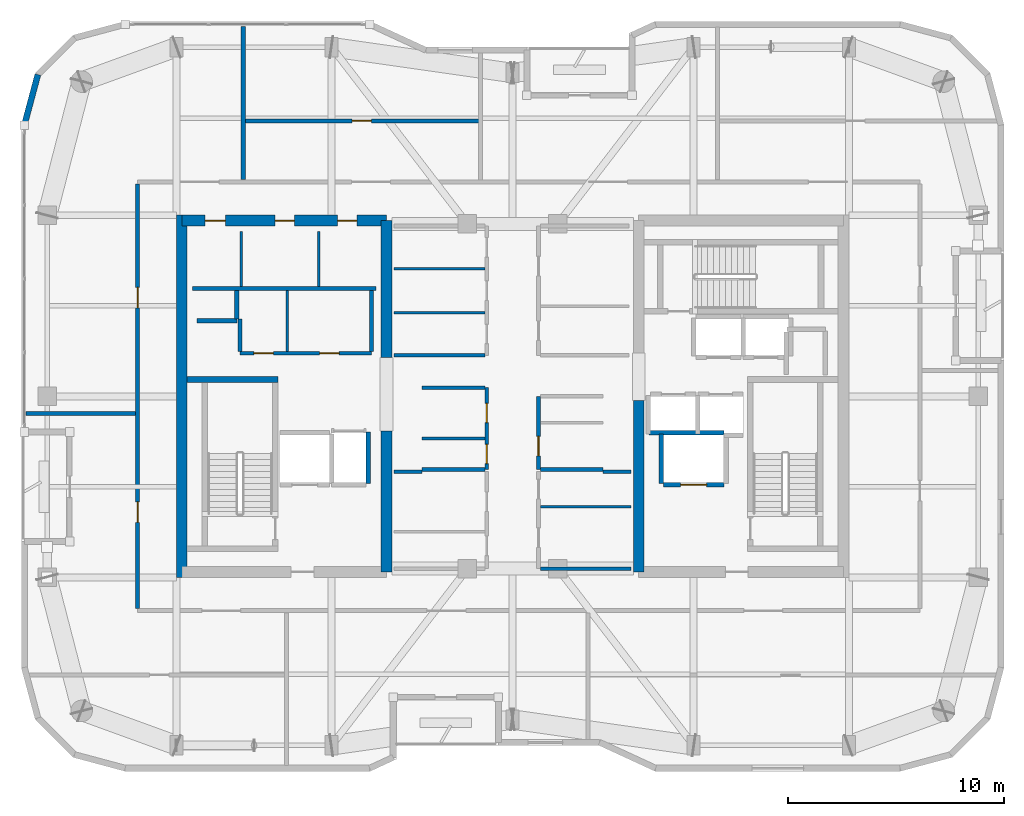
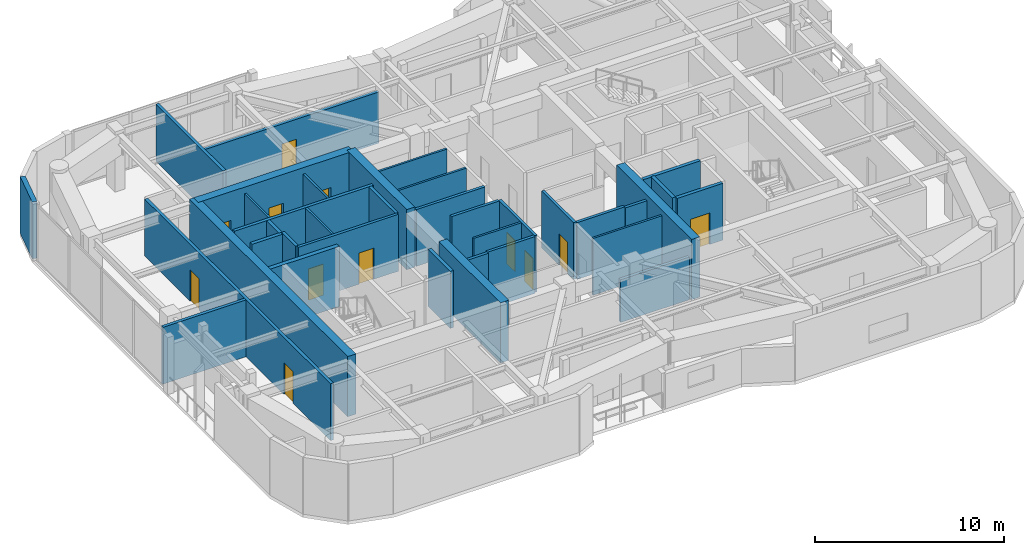
# One storey, part 11 of 16: 37 walls, 12 doors, 12 openings.
"""IFC4 building model written with IfcOpenShell, lengths in metres."""

from ifc_helpers import new_model, si_unit, direction, frame, frame_2d, origin, place, context, subcontext, project, spatial, rectangle, extrude, material, layer, layer_set, type_object, element, fill, save


model = new_model("IFC4")

# Units and contexts
model_context = context("Model", 3, precision=1e-05, world=origin(), true_north=direction((0.0, 1.0)))
body_context = subcontext(model_context, "Body", "Model", "MODEL_VIEW")
ifc_project = project(units=[si_unit("LENGTHUNIT", "METRE"), si_unit("AREAUNIT", "SQUARE_METRE"), si_unit("VOLUMEUNIT", "CUBIC_METRE"), si_unit("PLANEANGLEUNIT", "RADIAN"), si_unit("MASSUNIT", "GRAM", prefix="KILO")], contexts=[model_context])

# Site, building, storey
site_placement = place(None, origin())
site = spatial("IfcSite", under=ifc_project, at=site_placement, CompositionType="ELEMENT")
building_placement = place(site_placement, origin())
building = spatial("IfcBuilding", under=site, at=building_placement, Name="Kiyonajd Concourse Tower", CompositionType="ELEMENT")
storey_placement = place(building_placement, frame((0.0, 0.0, 333.60009765625)))
storey = spatial("IfcBuildingStorey", under=building, at=storey_placement, Name="L84", CompositionType="ELEMENT", Elevation=333.60009765625)

# Walls
ifc_material_1 = material(Name="Concrete C60/75", Category="concrete")
ifc_layer_1 = layer(ifc_material_1, 0.5)
ifc_layer_set_1 = layer_set([ifc_layer_1], Name="Concrete C60/75")
wall_type_1 = type_object("IfcWallType", Name="WL-CORE-500", PredefinedType="SHEAR", material=ifc_layer_set_1)
wall_1_placement = place(storey_placement, frame((32.64990234375, 27.60009765625, 0.0), z_axis=(0.0, 0.0, 1.0), x_axis=(0.0, 1.0, 0.0)))
element("IfcWall", 1, at=wall_1_placement, inside=storey, type_object=wall_type_1, Name="L84 West Core Outer Shear Wall", PredefinedType="SHEAR", context=body_context, shape_type="SweptSolid", body=[
    extrude(rectangle(XDim=16.7998046875, YDim=0.5, at=frame_2d((8.39990234375, 0.0))), origin(), (0.0, 0.0, 1.0), 3.89990234375),
])
wall_2_placement = place(storey_placement, frame((42.14990234375, 27.85009765625, 0.0), z_axis=(0.0, 0.0, 1.0), x_axis=(0.0, 1.0, 0.0)))
element("IfcWall", 2, at=wall_2_placement, inside=storey, type_object=wall_type_1, Name="L84 West Core Inner South Shear Wall", PredefinedType="SHEAR", context=body_context, shape_type="SweptSolid", body=[
    extrude(rectangle(XDim=6.5498046875, YDim=0.5, at=frame_2d((3.27490234375, 0.0))), origin(), (0.0, 0.0, 1.0), 3.89990234375),
])
wall_3_placement = place(storey_placement, frame((42.14990234375, 37.800048828125, 0.0), z_axis=(0.0, 0.0, 1.0), x_axis=(0.0, 1.0, 0.0)))
element("IfcWall", 3, at=wall_3_placement, inside=storey, type_object=wall_type_1, Name="L84 West Core Inner North Shear Wall", PredefinedType="SHEAR", context=body_context, shape_type="SweptSolid", body=[
    extrude(rectangle(XDim=6.349853515625, YDim=0.5, at=frame_2d((3.1748046875, 0.0))), origin(), (0.0, 0.0, 1.0), 3.89990234375),
])

# Wall, openings, doors
wall_4_placement = place(storey_placement, frame((32.64990234375, 44.14990234375, 0.0), z_axis=(0.0, 0.0, 1.0), x_axis=(1.0, 0.0, 0.0)))
wall_4 = element("IfcWall", 4, at=wall_4_placement, inside=storey, type_object=wall_type_1, Name="L84 West Core North Shear Wall", PredefinedType="SHEAR", context=body_context, shape_type="SweptSolid", body=[
    extrude(rectangle(XDim=9.5, YDim=0.5, at=frame_2d((4.75, 0.0))), origin(), (0.0, 0.0, 1.0), 3.89990234375),
])
opening_1_placement = place(wall_4_placement, frame((1.074951171875, 0.0, 0.0)))
opening_1 = element("IfcOpeningElement", 5, at=opening_1_placement, cuts=wall_4, Name="Opening DI1", PredefinedType="OPENING", context=body_context, shape_type="SweptSolid", body=[
    extrude(rectangle(XDim=0.949951171875, YDim=2.0400390625, at=frame_2d((0.47509765625, 1.02001953125))), frame((0.0, 0.260009765625, 0.0), z_axis=(0.0, -1.0, 0.0), x_axis=(1.0, 0.0, 0.0)), (0.0, 0.0, 1.0), 0.52001953125),
])
opening_2_placement = place(wall_4_placement, frame((4.324951171875, 0.0, 0.0)))
opening_2 = element("IfcOpeningElement", 6, at=opening_2_placement, cuts=wall_4, Name="Opening DI2", PredefinedType="OPENING", context=body_context, shape_type="SweptSolid", body=[
    extrude(rectangle(XDim=0.89990234375, YDim=2.02001953125, at=frame_2d((0.449951171875, 1.010009765625))), frame((0.0, 0.260009765625, 0.0), z_axis=(0.0, -1.0, 0.0), x_axis=(1.0, 0.0, 0.0)), (0.0, 0.0, 1.0), 0.52001953125),
])
opening_3_placement = place(wall_4_placement, frame((7.22509765625, 0.0, 0.0)))
opening_3 = element("IfcOpeningElement", 7, at=opening_3_placement, cuts=wall_4, Name="Opening DI2", PredefinedType="OPENING", context=body_context, shape_type="SweptSolid", body=[
    extrude(rectangle(XDim=0.89990234375, YDim=2.02001953125, at=frame_2d((0.449951171875, 1.010009765625))), frame((0.0, 0.260009765625, 0.0), z_axis=(0.0, -1.0, 0.0), x_axis=(1.0, 0.0, 0.0)), (0.0, 0.0, 1.0), 0.52001953125),
])
ifc_material_2 = material(Name="Natural Oak Acoustic Timber Veneer", Category="wood")
door_type_1 = type_object("IfcDoorType", Name="DR-INT-900", OperationType="NOTDEFINED", PredefinedType="DOOR", material=ifc_material_2)
door_1_placement = place(opening_2_placement, origin())
door_1 = element("IfcDoor", 8, at=door_1_placement, inside=storey, type_object=door_type_1, Name="L84 Male Restroom Door", OperationType="SINGLE_SWING_RIGHT", OverallHeight=2.02001953125, OverallWidth=0.89990234375, PredefinedType="DOOR", context=body_context, shape_type="SweptSolid", body=[
    extrude(rectangle(XDim=0.89990234375, YDim=2.02001953125, at=frame_2d((0.449951171875, 1.010009765625))), frame((0.0, 0.02490234375, 0.0), z_axis=(0.0, -1.0, 0.0), x_axis=(1.0, 0.0, 0.0)), (0.0, 0.0, 1.0), 0.050048828125),
])
fill(opening_2, door_1)
door_2_placement = place(opening_3_placement, origin())
door_2 = element("IfcDoor", 9, at=door_2_placement, inside=storey, type_object=door_type_1, Name="L84 Female Restroom Door", OperationType="SINGLE_SWING_LEFT", OverallHeight=2.02001953125, OverallWidth=0.89990234375, PredefinedType="DOOR", context=body_context, shape_type="SweptSolid", body=[
    extrude(rectangle(XDim=0.89990234375, YDim=2.02001953125, at=frame_2d((0.449951171875, 1.010009765625))), frame((0.0, 0.02490234375, 0.0), z_axis=(0.0, -1.0, 0.0), x_axis=(1.0, 0.0, 0.0)), (0.0, 0.0, 1.0), 0.050048828125),
])
fill(opening_3, door_2)
door_type_2 = type_object("IfcDoorType", Name="DR-INT-950", OperationType="NOTDEFINED", PredefinedType="DOOR", material=ifc_material_2)
door_3_placement = place(opening_1_placement, origin())
door_3 = element("IfcDoor", 10, at=door_3_placement, inside=storey, type_object=door_type_2, Name="L84 Single User Accessible WC Door", OperationType="SINGLE_SWING_LEFT", OverallHeight=2.0400390625, OverallWidth=0.949951171875, PredefinedType="DOOR", context=body_context, shape_type="SweptSolid", body=[
    extrude(rectangle(XDim=0.949951171875, YDim=2.0400390625, at=frame_2d((0.47509765625, 1.02001953125))), frame((0.0, 0.02490234375, 0.0), z_axis=(0.0, -1.0, 0.0), x_axis=(1.0, 0.0, 0.0)), (0.0, 0.0, 1.0), 0.050048828125),
])
fill(opening_1, door_3)

# Walls
wall_5_placement = place(storey_placement, frame((53.85009765625, 27.85009765625, 0.0), z_axis=(0.0, 0.0, 1.0), x_axis=(0.0, 1.0, 0.0)))
element("IfcWall", 11, at=wall_5_placement, inside=storey, type_object=wall_type_1, Name="L84 East Core Inner South Shear Wall", PredefinedType="SHEAR", context=body_context, shape_type="SweptSolid", body=[
    extrude(rectangle(XDim=7.949951171875, YDim=0.5, at=frame_2d((3.97509765625, 0.0))), origin(), (0.0, 0.0, 1.0), 3.89990234375),
])
ifc_material_3 = material(Name="Precast concrete C50/60", Category="concrete")
ifc_layer_2 = layer(ifc_material_3, 0.280029296875)
ifc_layer_set_2 = layer_set([ifc_layer_2], Name="Precast concrete C50/60")
wall_type_2 = type_object("IfcWallType", Name="WL-EXT-280", PredefinedType="SOLIDWALL", material=ifc_layer_set_2)
wall_6_placement = place(storey_placement, frame((25.340087890625, 48.58154296875, 0.0), z_axis=(0.0, 0.0, 1.0), x_axis=(0.258751159445, 0.965944013639, 0.0)))
element("IfcWall", 12, at=wall_6_placement, inside=storey, type_object=wall_type_2, Name="L84 Exterior Concrete Frame Wall 06", PredefinedType="SOLIDWALL", context=body_context, shape_type="SweptSolid", body=[
    extrude(rectangle(XDim=2.4287109375, YDim=0.280029296875, at=frame_2d((1.21435546875, 0.0))), origin(), (0.0, 0.0, 1.0), 3.679931640625),
])
ifc_material_4 = material(Name="Gypsum Board on Cold-Formed Steel Stud", Category="steel")
ifc_layer_3 = layer(ifc_material_4, 0.125)
ifc_layer_set_3 = layer_set([ifc_layer_3], Name="Gypsum Board on Cold-Formed Steel Stud")
wall_type_3 = type_object("IfcWallType", Name="WL-PART-125", PredefinedType="PARTITIONING", material=ifc_layer_set_3)
for number, where, z_axis, x_axis, name in (
    (13, (35.39990234375, 41.094970703125, 0.0), (0.0, 0.0, 1.0), (0.0, 1.0, 0.0), "L84 Interior Partition Wall"),
    (14, (39.0, 41.094970703125, 0.0), (0.0, 0.0, 1.0), (0.0, 1.0, 0.0), "L84 Interior Partition Wall"),
):
    element("IfcWall", number, at=place(storey_placement, frame(where, z_axis=z_axis, x_axis=x_axis)), inside=storey, type_object=wall_type_3, Name=name, PredefinedType="PARTITIONING", context=body_context, shape_type="SweptSolid", body=[
        extrude(rectangle(XDim=2.554931640625, YDim=0.125, at=frame_2d((1.27734375, 0.0))), origin(), (0.0, 0.0, 1.0), 3.679931640625),
    ])
wall_7_placement = place(storey_placement, frame((37.5458984375, 38.0869140625, 0.0), z_axis=(0.0, 0.0, 1.0), x_axis=(0.0, 1.0, 0.0)))
element("IfcWall", 15, at=wall_7_placement, inside=storey, type_object=wall_type_3, Name="L84 Interior Partition Wall", PredefinedType="PARTITIONING", context=body_context, shape_type="SweptSolid", body=[
    extrude(rectangle(XDim=2.81298828125, YDim=0.125, at=frame_2d((1.406494140625, 0.0))), origin(), (0.0, 0.0, 1.0), 3.679931640625),
])
wall_8_placement = place(storey_placement, frame((43.800048828125, 34.0439453125, 0.0), z_axis=(0.0, 0.0, 1.0), x_axis=(1.0, 0.0, 0.0)))
element("IfcWall", 16, at=wall_8_placement, inside=storey, type_object=wall_type_3, Name="L84 Interior Partition Wall", PredefinedType="PARTITIONING", context=body_context, shape_type="SweptSolid", body=[
    extrude(rectangle(XDim=2.912841796875, YDim=0.125, at=frame_2d((1.45654296875, 0.0))), origin(), (0.0, 0.0, 1.0), 3.679931640625),
])
for number, where, z_axis, x_axis, name in (
    (17, (49.287109375, 30.8798828125, 0.0), (0.0, 0.0, 1.0), (1.0, 0.0, 0.0), "L84 Interior Partition Wall"),
    (18, (42.5, 39.8798828125, 0.0), (0.0, 0.0, 1.0), (1.0, 0.0, 0.0), "L84 Interior Partition Wall"),
    (19, (42.5, 41.919921875, 0.0), (0.0, 0.0, 1.0), (1.0, 0.0, 0.0), "L84 Interior Partition Wall"),
):
    element("IfcWall", number, at=place(storey_placement, frame(where, z_axis=z_axis, x_axis=x_axis)), inside=storey, type_object=wall_type_3, Name=name, PredefinedType="PARTITIONING", context=body_context, shape_type="SweptSolid", body=[
        extrude(rectangle(XDim=4.212890625, YDim=0.125, at=frame_2d((2.1064453125, 0.0))), origin(), (0.0, 0.0, 1.0), 3.679931640625),
    ])
ifc_layer_4 = layer(ifc_material_4, 0.18994140625)
ifc_layer_set_4 = layer_set([ifc_layer_4], Name="Gypsum Board on Cold-Formed Steel Stud")
wall_type_4 = type_object("IfcWallType", Name="WL-PLMB-190", PredefinedType="PLUMBINGWALL", material=ifc_layer_set_4)
wall_9_placement = place(storey_placement, frame((33.14990234375, 41.0, 0.0), z_axis=(0.0, 0.0, 1.0), x_axis=(1.0, 0.0, 0.0)))
element("IfcWall", 20, at=wall_9_placement, inside=storey, type_object=wall_type_4, Name="L84 Interior Partition Wall", PredefinedType="PLUMBINGWALL", context=body_context, shape_type="SweptSolid", body=[
    extrude(rectangle(XDim=8.5, YDim=0.18994140625, at=frame_2d((4.25, 0.0))), origin(), (0.0, 0.0, 1.0), 3.679931640625),
])

# Wall, openings, doors
wall_10_placement = place(storey_placement, frame((30.60009765625, 26.14697265625, 0.0), z_axis=(0.0, 0.0, 1.0), x_axis=(0.0, 1.0, 0.0)))
wall_10 = element("IfcWall", 21, at=wall_10_placement, inside=storey, type_object=wall_type_4, Name="L84 Interior Partition Wall", PredefinedType="PLUMBINGWALL", context=body_context, shape_type="SweptSolid", body=[
    extrude(rectangle(XDim=19.7060546875, YDim=0.18994140625, at=frame_2d((9.85302734375, 0.0))), origin(), (0.0, 0.0, 1.0), 3.679931640625),
])
opening_4_placement = place(wall_10_placement, frame((4.0029296875, 0.0, 0.0)))
opening_4 = element("IfcOpeningElement", 22, at=opening_4_placement, cuts=wall_10, Name="Opening DI1", PredefinedType="OPENING", context=body_context, shape_type="SweptSolid", body=[
    extrude(rectangle(XDim=0.949951171875, YDim=2.0400390625, at=frame_2d((0.47509765625, 1.02001953125))), frame((0.0, 0.10498046875, 0.0), z_axis=(0.0, -1.0, 0.0), x_axis=(1.0, 0.0, 0.0)), (0.0, 0.0, 1.0), 0.2099609375),
])
opening_5_placement = place(wall_10_placement, frame((13.952880859375, 0.0, 0.0)))
opening_5 = element("IfcOpeningElement", 23, at=opening_5_placement, cuts=wall_10, Name="Opening DI1", PredefinedType="OPENING", context=body_context, shape_type="SweptSolid", body=[
    extrude(rectangle(XDim=0.949951171875, YDim=2.0400390625, at=frame_2d((0.47509765625, 1.02001953125))), frame((0.0, 0.10498046875, 0.0), z_axis=(0.0, -1.0, 0.0), x_axis=(1.0, 0.0, 0.0)), (0.0, 0.0, 1.0), 0.2099609375),
])
door_4_placement = place(opening_4_placement, origin())
door_4 = element("IfcDoor", 24, at=door_4_placement, inside=storey, type_object=door_type_2, Name="L84 Interior Door", OperationType="SINGLE_SWING_LEFT", OverallHeight=2.0400390625, OverallWidth=0.949951171875, PredefinedType="DOOR", context=body_context, shape_type="SweptSolid", body=[
    extrude(rectangle(XDim=0.949951171875, YDim=2.0400390625, at=frame_2d((0.47509765625, 1.02001953125))), frame((0.0, 0.02490234375, 0.0), z_axis=(0.0, -1.0, 0.0), x_axis=(1.0, 0.0, 0.0)), (0.0, 0.0, 1.0), 0.050048828125),
])
fill(opening_4, door_4)
door_5_placement = place(opening_5_placement, origin())
door_5 = element("IfcDoor", 25, at=door_5_placement, inside=storey, type_object=door_type_2, Name="L84 Interior Door", OperationType="SINGLE_SWING_RIGHT", OverallHeight=2.0400390625, OverallWidth=0.949951171875, PredefinedType="DOOR", context=body_context, shape_type="SweptSolid", body=[
    extrude(rectangle(XDim=0.949951171875, YDim=2.0400390625, at=frame_2d((0.47509765625, 1.02001953125))), frame((0.0, 0.02490234375, 0.0), z_axis=(0.0, -1.0, 0.0), x_axis=(1.0, 0.0, 0.0)), (0.0, 0.0, 1.0), 0.050048828125),
])
fill(opening_5, door_5)

# Wall, opening, door
wall_11_placement = place(storey_placement, frame((35.5, 48.780029296875, 0.0), z_axis=(0.0, 0.0, 1.0), x_axis=(1.0, 0.0, 0.0)))
wall_11 = element("IfcWall", 26, at=wall_11_placement, inside=storey, type_object=wall_type_4, Name="L84 Interior Partition Wall", PredefinedType="PLUMBINGWALL", context=body_context, shape_type="SweptSolid", body=[
    extrude(rectangle(XDim=11.0, YDim=0.18994140625, at=frame_2d((5.5, 0.0))), origin(), (0.0, 0.0, 1.0), 3.310791015625),
])
opening_6_placement = place(wall_11_placement, frame((5.050048828125, 0.0, 0.0)))
opening_6 = element("IfcOpeningElement", 27, at=opening_6_placement, cuts=wall_11, Name="Opening DI2", PredefinedType="OPENING", context=body_context, shape_type="SweptSolid", body=[
    extrude(rectangle(XDim=0.89990234375, YDim=2.02001953125, at=frame_2d((0.449951171875, 1.010009765625))), frame((0.0, 0.10498046875, 0.0), z_axis=(0.0, -1.0, 0.0), x_axis=(1.0, 0.0, 0.0)), (0.0, 0.0, 1.0), 0.2099609375),
])
door_6_placement = place(opening_6_placement, origin())
door_6 = element("IfcDoor", 28, at=door_6_placement, inside=storey, type_object=door_type_1, Name="L84 Interior Door", OperationType="SINGLE_SWING_LEFT", OverallHeight=2.02001953125, OverallWidth=0.89990234375, PredefinedType="DOOR", context=body_context, shape_type="SweptSolid", body=[
    extrude(rectangle(XDim=0.89990234375, YDim=2.02001953125, at=frame_2d((0.449951171875, 1.010009765625))), frame((0.0, 0.02490234375, 0.0), z_axis=(0.0, -1.0, 0.0), x_axis=(1.0, 0.0, 0.0)), (0.0, 0.0, 1.0), 0.050048828125),
])
fill(opening_6, door_6)

# Walls
wall_12_placement = place(storey_placement, frame((35.5, 46.047119140625, 0.0), z_axis=(0.0, 0.0, 1.0), x_axis=(0.0, 1.0, 0.0)))
element("IfcWall", 29, at=wall_12_placement, inside=storey, type_object=wall_type_4, Name="L84 Interior Partition Wall", PredefinedType="PLUMBINGWALL", context=body_context, shape_type="SweptSolid", body=[
    extrude(rectangle(XDim=7.117919921875, YDim=0.18994140625, at=frame_2d((3.55908203125, 0.0))), origin(), (0.0, 0.0, 1.0), 3.679931640625),
])
wall_13_placement = place(storey_placement, frame((25.425048828125, 35.199951171875, 0.0), z_axis=(0.0, 0.0, 1.0), x_axis=(1.0, 0.0, 0.0)))
element("IfcWall", 30, at=wall_13_placement, inside=storey, type_object=wall_type_4, Name="L84 Interior Partition Wall", PredefinedType="PLUMBINGWALL", context=body_context, shape_type="SweptSolid", body=[
    extrude(rectangle(XDim=5.077880859375, YDim=0.18994140625, at=frame_2d((2.5390625, 0.0))), origin(), (0.0, 0.0, 1.0), 3.679931640625),
])
ifc_layer_5 = layer(ifc_material_4, 0.2099609375)
ifc_layer_set_5 = layer_set([ifc_layer_5], Name="Gypsum Board on Cold-Formed Steel Stud")
wall_type_5 = type_object("IfcWallType", Name="WL-SHAFT-210", PredefinedType="PARTITIONING", material=ifc_layer_set_5)
wall_14_placement = place(storey_placement, frame((33.360107421875, 39.5, 0.0), z_axis=(0.0, 0.0, 1.0), x_axis=(1.0, 0.0, 0.0)))
element("IfcWall", 31, at=wall_14_placement, inside=storey, type_object=wall_type_5, Name="L84 Shaft Enclosure Wall", PredefinedType="PARTITIONING", context=body_context, shape_type="SweptSolid", body=[
    extrude(rectangle(XDim=1.85986328125, YDim=0.2099609375, at=frame_2d((0.929931640625, 0.0))), origin(), (0.0, 0.0, 1.0), 3.679931640625),
])
wall_15_placement = place(storey_placement, frame((35.199951171875, 39.580078125, 0.0), z_axis=(0.0, 0.0, 1.0), x_axis=(0.0, 1.0, 0.0)))
element("IfcWall", 32, at=wall_15_placement, inside=storey, type_object=wall_type_5, Name="L84 Shaft Enclosure Wall", PredefinedType="PARTITIONING", context=body_context, shape_type="SweptSolid", body=[
    extrude(rectangle(XDim=1.31982421875, YDim=0.2099609375, at=frame_2d((0.659912109375, 0.0))), origin(), (0.0, 0.0, 1.0), 3.679931640625),
])

# Wall, opening, door
wall_16_placement = place(storey_placement, frame((55.0, 31.89990234375, 0.0), z_axis=(0.0, 0.0, 1.0), x_axis=(1.0, 0.0, 0.0)))
wall_16 = element("IfcWall", 33, at=wall_16_placement, inside=storey, type_object=wall_type_5, Name="L84 Shaft Enclosure Wall", PredefinedType="PARTITIONING", context=body_context, shape_type="SweptSolid", body=[
    extrude(rectangle(XDim=2.800048828125, YDim=0.2099609375, at=frame_2d((1.39990234375, 0.0))), origin(), (0.0, 0.0, 1.0), 3.679931640625),
])
opening_7_placement = place(wall_16_placement, frame((0.800048828125, 0.0, 0.0)))
opening_7 = element("IfcOpeningElement", 34, at=opening_7_placement, cuts=wall_16, Name="Opening LD2", PredefinedType="OPENING", context=body_context, shape_type="SweptSolid", body=[
    extrude(rectangle(XDim=1.199951171875, YDim=2.0400390625, at=frame_2d((0.60009765625, 1.02001953125))), frame((0.0, 0.114990234375, 0.0), z_axis=(0.0, -1.0, 0.0), x_axis=(1.0, 0.0, 0.0)), (0.0, 0.0, 1.0), 0.22998046875),
])
ifc_material_5 = material(Name="Brushed Stainless Steel Cab Assembly", Category="steel")
door_type_3 = type_object("IfcDoorType", Name="DR-LD-1200", OperationType="DOUBLE_DOOR_SLIDING", PredefinedType="DOOR", material=ifc_material_5)
door_7_placement = place(opening_7_placement, origin())
door_7 = element("IfcDoor", 35, at=door_7_placement, inside=storey, type_object=door_type_3, Name="L84 Lift FFL2 Sliding Landing Door", OperationType="DOUBLE_DOOR_SLIDING", OverallHeight=2.0400390625, OverallWidth=1.199951171875, PredefinedType="DOOR", context=body_context, shape_type="SweptSolid", body=[
    extrude(rectangle(XDim=1.199951171875, YDim=2.0400390625, at=frame_2d((0.60009765625, 1.02001953125))), frame((0.0, 0.02490234375, 0.0), z_axis=(0.0, -1.0, 0.0), x_axis=(1.0, 0.0, 0.0)), (0.0, 0.0, 1.0), 0.050048828125),
])
fill(opening_7, door_7)

# Walls
wall_17_placement = place(storey_placement, frame((54.320068359375, 34.300048828125, 0.0), z_axis=(0.0, 0.0, 1.0), x_axis=(1.0, 0.0, 0.0)))
element("IfcWall", 36, at=wall_17_placement, inside=storey, type_object=wall_type_5, Name="L84 Shaft Enclosure Wall", PredefinedType="PARTITIONING", context=body_context, shape_type="SweptSolid", body=[
    extrude(rectangle(XDim=3.47998046875, YDim=0.2099609375, at=frame_2d((1.739990234375, 0.0))), origin(), (0.0, 0.0, 1.0), 3.679931640625),
])
wall_18_placement = place(storey_placement, frame((54.89990234375, 31.9599609375, 0.0), z_axis=(0.0, 0.0, 1.0), x_axis=(0.0, 1.0, 0.0)))
element("IfcWall", 37, at=wall_18_placement, inside=storey, type_object=wall_type_5, Name="L84 Shaft Enclosure Wall", PredefinedType="PARTITIONING", context=body_context, shape_type="SweptSolid", body=[
    extrude(rectangle(XDim=2.280029296875, YDim=0.2099609375, at=frame_2d((1.14013671875, 0.0))), origin(), (0.0, 0.0, 1.0), 3.679931640625),
])
wall_19_placement = place(storey_placement, frame((41.300048828125, 31.9599609375, 0.0), z_axis=(0.0, 0.0, 1.0), x_axis=(0.0, 1.0, 0.0)))
element("IfcWall", 38, at=wall_19_placement, inside=storey, type_object=wall_type_5, Name="L84 Shaft Enclosure Wall", PredefinedType="PARTITIONING", context=body_context, shape_type="SweptSolid", body=[
    extrude(rectangle(XDim=2.380126953125, YDim=0.2099609375, at=frame_2d((1.18994140625, 0.0))), origin(), (0.0, 0.0, 1.0), 3.679931640625),
])

# Wall, openings, doors
ifc_layer_6 = layer(ifc_material_4, 0.169921875)
ifc_layer_set_6 = layer_set([ifc_layer_6], Name="Gypsum Board on Cold-Formed Steel Stud")
wall_type_6 = type_object("IfcWallType", Name="WL-SMK-170", PredefinedType="PARTITIONING", material=ifc_layer_set_6)
wall_20_placement = place(storey_placement, frame((35.35009765625, 38.0, 0.0), z_axis=(0.0, 0.0, 1.0), x_axis=(1.0, 0.0, 0.0)))
wall_20 = element("IfcWall", 39, at=wall_20_placement, inside=storey, type_object=wall_type_6, Name="L84 Interior Partition Wall", PredefinedType="PARTITIONING", context=body_context, shape_type="SweptSolid", body=[
    extrude(rectangle(XDim=6.099853515625, YDim=0.169921875, at=frame_2d((3.0498046875, 0.0))), origin(), (0.0, 0.0, 1.0), 3.679931640625),
])
opening_8_placement = place(wall_20_placement, frame((0.64794921875, 0.0, 0.0)))
opening_8 = element("IfcOpeningElement", 40, at=opening_8_placement, cuts=wall_20, Name="Opening DI2", PredefinedType="OPENING", context=body_context, shape_type="SweptSolid", body=[
    extrude(rectangle(XDim=0.89990234375, YDim=2.02001953125, at=frame_2d((0.449951171875, 1.010009765625))), frame((0.0, 0.094970703125, 0.0), z_axis=(0.0, -1.0, 0.0), x_axis=(1.0, 0.0, 0.0)), (0.0, 0.0, 1.0), 0.18994140625),
])
opening_9_placement = place(wall_20_placement, frame((3.697998046875, 0.0, 0.0)))
opening_9 = element("IfcOpeningElement", 41, at=opening_9_placement, cuts=wall_20, Name="Opening DI2", PredefinedType="OPENING", context=body_context, shape_type="SweptSolid", body=[
    extrude(rectangle(XDim=0.89990234375, YDim=2.02001953125, at=frame_2d((0.449951171875, 1.010009765625))), frame((0.0, 0.094970703125, 0.0), z_axis=(0.0, -1.0, 0.0), x_axis=(1.0, 0.0, 0.0)), (0.0, 0.0, 1.0), 0.18994140625),
])
door_8_placement = place(opening_8_placement, origin())
door_8 = element("IfcDoor", 42, at=door_8_placement, inside=storey, type_object=door_type_1, Name="L84 Interior Door", OperationType="SINGLE_SWING_LEFT", OverallHeight=2.02001953125, OverallWidth=0.89990234375, PredefinedType="DOOR", context=body_context, shape_type="SweptSolid", body=[
    extrude(rectangle(XDim=0.89990234375, YDim=2.02001953125, at=frame_2d((0.449951171875, 1.010009765625))), frame((0.0, 0.02490234375, 0.0), z_axis=(0.0, -1.0, 0.0), x_axis=(1.0, 0.0, 0.0)), (0.0, 0.0, 1.0), 0.050048828125),
])
fill(opening_8, door_8)
door_9_placement = place(opening_9_placement, origin())
door_9 = element("IfcDoor", 43, at=door_9_placement, inside=storey, type_object=door_type_1, Name="L84 Interior Door", OperationType="SINGLE_SWING_RIGHT", OverallHeight=2.02001953125, OverallWidth=0.89990234375, PredefinedType="DOOR", context=body_context, shape_type="SweptSolid", body=[
    extrude(rectangle(XDim=0.89990234375, YDim=2.02001953125, at=frame_2d((0.449951171875, 1.010009765625))), frame((0.0, 0.02490234375, 0.0), z_axis=(0.0, -1.0, 0.0), x_axis=(1.0, 0.0, 0.0)), (0.0, 0.0, 1.0), 0.050048828125),
])
fill(opening_9, door_9)

# Walls
wall_21_placement = place(storey_placement, frame((35.35009765625, 38.0869140625, 0.0), z_axis=(0.0, 0.0, 1.0), x_axis=(0.0, 1.0, 0.0)))
element("IfcWall", 44, at=wall_21_placement, inside=storey, type_object=wall_type_6, Name="L84 Interior Partition Wall", PredefinedType="PARTITIONING", context=body_context, shape_type="SweptSolid", body=[
    extrude(rectangle(XDim=1.4931640625, YDim=0.169921875, at=frame_2d((0.74658203125, 0.0))), origin(), (0.0, 0.0, 1.0), 3.679931640625),
])
wall_22_placement = place(storey_placement, frame((41.449951171875, 38.0869140625, 0.0), z_axis=(0.0, 0.0, 1.0), x_axis=(0.0, 1.0, 0.0)))
element("IfcWall", 45, at=wall_22_placement, inside=storey, type_object=wall_type_6, Name="L84 Interior Partition Wall", PredefinedType="PARTITIONING", context=body_context, shape_type="SweptSolid", body=[
    extrude(rectangle(XDim=2.81298828125, YDim=0.169921875, at=frame_2d((1.406494140625, 0.0))), origin(), (0.0, 0.0, 1.0), 3.679931640625),
])

# Wall, openings, doors
wall_23_placement = place(storey_placement, frame((46.800048828125, 32.60009765625, 0.0), z_axis=(0.0, 0.0, 1.0), x_axis=(0.0, 1.0, 0.0)))
wall_23 = element("IfcWall", 46, at=wall_23_placement, inside=storey, type_object=wall_type_6, Name="L84 Interior Partition Wall", PredefinedType="PARTITIONING", context=body_context, shape_type="SweptSolid", body=[
    extrude(rectangle(XDim=3.7998046875, YDim=0.169921875, at=frame_2d((1.89990234375, 0.0))), origin(), (0.0, 0.0, 1.0), 3.679931640625),
])
opening_10_placement = place(wall_23_placement, frame((0.27197265625, 0.0, 0.0)))
opening_10 = element("IfcOpeningElement", 47, at=opening_10_placement, cuts=wall_23, Name="Opening DI2", PredefinedType="OPENING", context=body_context, shape_type="SweptSolid", body=[
    extrude(rectangle(XDim=0.89990234375, YDim=2.02001953125, at=frame_2d((0.449951171875, 1.010009765625))), frame((0.0, 0.094970703125, 0.0), z_axis=(0.0, -1.0, 0.0), x_axis=(1.0, 0.0, 0.0)), (0.0, 0.0, 1.0), 0.18994140625),
])
opening_11_placement = place(wall_23_placement, frame((2.172119140625, 0.0, 0.0)))
opening_11 = element("IfcOpeningElement", 48, at=opening_11_placement, cuts=wall_23, Name="Opening DI2", PredefinedType="OPENING", context=body_context, shape_type="SweptSolid", body=[
    extrude(rectangle(XDim=0.89990234375, YDim=2.02001953125, at=frame_2d((0.449951171875, 1.010009765625))), frame((0.0, 0.094970703125, 0.0), z_axis=(0.0, -1.0, 0.0), x_axis=(1.0, 0.0, 0.0)), (0.0, 0.0, 1.0), 0.18994140625),
])
door_10_placement = place(opening_10_placement, origin())
door_10 = element("IfcDoor", 49, at=door_10_placement, inside=storey, type_object=door_type_1, Name="L84 Interior Door", OperationType="SINGLE_SWING_LEFT", OverallHeight=2.02001953125, OverallWidth=0.89990234375, PredefinedType="DOOR", context=body_context, shape_type="SweptSolid", body=[
    extrude(rectangle(XDim=0.89990234375, YDim=2.02001953125, at=frame_2d((0.449951171875, 1.010009765625))), frame((0.0, 0.02490234375, 0.0), z_axis=(0.0, -1.0, 0.0), x_axis=(1.0, 0.0, 0.0)), (0.0, 0.0, 1.0), 0.050048828125),
])
fill(opening_10, door_10)
door_11_placement = place(opening_11_placement, origin())
door_11 = element("IfcDoor", 50, at=door_11_placement, inside=storey, type_object=door_type_1, Name="L84 Interior Door", OperationType="SINGLE_SWING_RIGHT", OverallHeight=2.02001953125, OverallWidth=0.89990234375, PredefinedType="DOOR", context=body_context, shape_type="SweptSolid", body=[
    extrude(rectangle(XDim=0.89990234375, YDim=2.02001953125, at=frame_2d((0.449951171875, 1.010009765625))), frame((0.0, 0.02490234375, 0.0), z_axis=(0.0, -1.0, 0.0), x_axis=(1.0, 0.0, 0.0)), (0.0, 0.0, 1.0), 0.050048828125),
])
fill(opening_11, door_11)

# Walls
for number, where, z_axis, x_axis, name in (
    (51, (43.800048828125, 32.60009765625, 0.0), (0.0, 0.0, 1.0), (1.0, 0.0, 0.0), "L84 Interior Partition Wall"),
    (52, (43.800048828125, 36.39990234375, 0.0), (0.0, 0.0, 1.0), (1.0, 0.0, 0.0), "L84 Interior Partition Wall"),
):
    element("IfcWall", number, at=place(storey_placement, frame(where, z_axis=z_axis, x_axis=x_axis)), inside=storey, type_object=wall_type_6, Name=name, PredefinedType="PARTITIONING", context=body_context, shape_type="SweptSolid", body=[
        extrude(rectangle(XDim=2.912841796875, YDim=0.169921875, at=frame_2d((1.45654296875, 0.0))), origin(), (0.0, 0.0, 1.0), 3.679931640625),
    ])

# Wall, opening, door
wall_24_placement = place(storey_placement, frame((49.199951171875, 32.60009765625, 0.0), z_axis=(0.0, 0.0, 1.0), x_axis=(0.0, 1.0, 0.0)))
wall_24 = element("IfcWall", 53, at=wall_24_placement, inside=storey, type_object=wall_type_6, Name="L84 Interior Partition Wall", PredefinedType="PARTITIONING", context=body_context, shape_type="SweptSolid", body=[
    extrude(rectangle(XDim=3.39990234375, YDim=0.169921875, at=frame_2d((1.699951171875, 0.0))), origin(), (0.0, 0.0, 1.0), 3.679931640625),
])
opening_12_placement = place(wall_24_placement, frame((0.637939453125, 0.0, 0.0)))
opening_12 = element("IfcOpeningElement", 54, at=opening_12_placement, cuts=wall_24, Name="Opening DF4", PredefinedType="OPENING", context=body_context, shape_type="SweptSolid", body=[
    extrude(rectangle(XDim=0.89990234375, YDim=2.02001953125, at=frame_2d((0.449951171875, 1.010009765625))), frame((0.0, 0.094970703125, 0.0), z_axis=(0.0, -1.0, 0.0), x_axis=(1.0, 0.0, 0.0)), (0.0, 0.0, 1.0), 0.18994140625),
])
door_type_4 = type_object("IfcDoorType", Name="DR-FD60-900", OperationType="NOTDEFINED", PredefinedType="DOOR", material=ifc_material_5)
door_12_placement = place(opening_12_placement, origin())
door_12 = element("IfcDoor", 55, at=door_12_placement, inside=storey, type_object=door_type_4, Name="L84 Interior Door", OperationType="SINGLE_SWING_LEFT", OverallHeight=2.02001953125, OverallWidth=0.89990234375, PredefinedType="DOOR", context=body_context, shape_type="SweptSolid", body=[
    extrude(rectangle(XDim=0.89990234375, YDim=2.02001953125, at=frame_2d((0.449951171875, 1.010009765625))), frame((0.0, 0.02490234375, 0.0), z_axis=(0.0, -1.0, 0.0), x_axis=(1.0, 0.0, 0.0)), (0.0, 0.0, 1.0), 0.050048828125),
])
fill(opening_12, door_12)

# Walls
wall_25_placement = place(storey_placement, frame((49.287109375, 32.60009765625, 0.0), z_axis=(0.0, 0.0, 1.0), x_axis=(1.0, 0.0, 0.0)))
element("IfcWall", 56, at=wall_25_placement, inside=storey, type_object=wall_type_6, Name="L84 Interior Partition Wall", PredefinedType="PARTITIONING", context=body_context, shape_type="SweptSolid", body=[
    extrude(rectangle(XDim=2.912841796875, YDim=0.169921875, at=frame_2d((1.45654296875, 0.0))), origin(), (0.0, 0.0, 1.0), 3.679931640625),
])
wall_26_placement = place(storey_placement, frame((42.5, 32.5, 0.0), z_axis=(0.0, 0.0, 1.0), x_axis=(1.0, 0.0, 0.0)))
element("IfcWall", 57, at=wall_26_placement, inside=storey, type_object=wall_type_6, Name="L84 Interior Partition Wall", PredefinedType="PARTITIONING", context=body_context, shape_type="SweptSolid", body=[
    extrude(rectangle(XDim=1.300048828125, YDim=0.169921875, at=frame_2d((0.64990234375, 0.0))), origin(), (0.0, 0.0, 1.0), 3.679931640625),
])
wall_27_placement = place(storey_placement, frame((49.287109375, 28.0, 0.0), z_axis=(0.0, 0.0, 1.0), x_axis=(1.0, 0.0, 0.0)))
element("IfcWall", 58, at=wall_27_placement, inside=storey, type_object=wall_type_6, Name="L84 Interior Partition Wall", PredefinedType="PARTITIONING", context=body_context, shape_type="SweptSolid", body=[
    extrude(rectangle(XDim=4.212890625, YDim=0.169921875, at=frame_2d((2.1064453125, 0.0))), origin(), (0.0, 0.0, 1.0), 2.764892578125),
])
wall_28_placement = place(storey_placement, frame((52.199951171875, 32.5, 0.0), z_axis=(0.0, 0.0, 1.0), x_axis=(1.0, 0.0, 0.0)))
element("IfcWall", 59, at=wall_28_placement, inside=storey, type_object=wall_type_6, Name="L84 Interior Partition Wall", PredefinedType="PARTITIONING", context=body_context, shape_type="SweptSolid", body=[
    extrude(rectangle(XDim=1.300048828125, YDim=0.169921875, at=frame_2d((0.64990234375, 0.0))), origin(), (0.0, 0.0, 1.0), 3.679931640625),
])
wall_29_placement = place(storey_placement, frame((42.5, 37.89990234375, 0.0), z_axis=(0.0, 0.0, 1.0), x_axis=(1.0, 0.0, 0.0)))
element("IfcWall", 60, at=wall_29_placement, inside=storey, type_object=wall_type_6, Name="L84 Interior Partition Wall", PredefinedType="PARTITIONING", context=body_context, shape_type="SweptSolid", body=[
    extrude(rectangle(XDim=4.212890625, YDim=0.169921875, at=frame_2d((2.1064453125, 0.0))), origin(), (0.0, 0.0, 1.0), 3.679931640625),
])
ifc_material_6 = material(Name="Concrete C50/60", Category="concrete")
ifc_layer_7 = layer(ifc_material_6, 0.260009765625)
ifc_layer_set_7 = layer_set([ifc_layer_7], Name="Concrete C50/60")
wall_type_7 = type_object("IfcWallType", Name="WL-STAIR-260", PredefinedType="SHEAR", material=ifc_layer_set_7)
wall_30_placement = place(storey_placement, frame((32.89990234375, 36.780029296875, 0.0), z_axis=(0.0, 0.0, 1.0), x_axis=(1.0, 0.0, 0.0)))
element("IfcWall", 61, at=wall_30_placement, inside=storey, type_object=wall_type_7, Name="L84 Stair ST1 Structural North Wall", PredefinedType="SHEAR", context=body_context, shape_type="SweptSolid", body=[
    extrude(rectangle(XDim=4.210205078125, YDim=0.260009765625, at=frame_2d((2.10498046875, 0.0))), origin(), (0.0, 0.0, 1.0), 3.89990234375),
])

save(model, "model.ifc")
